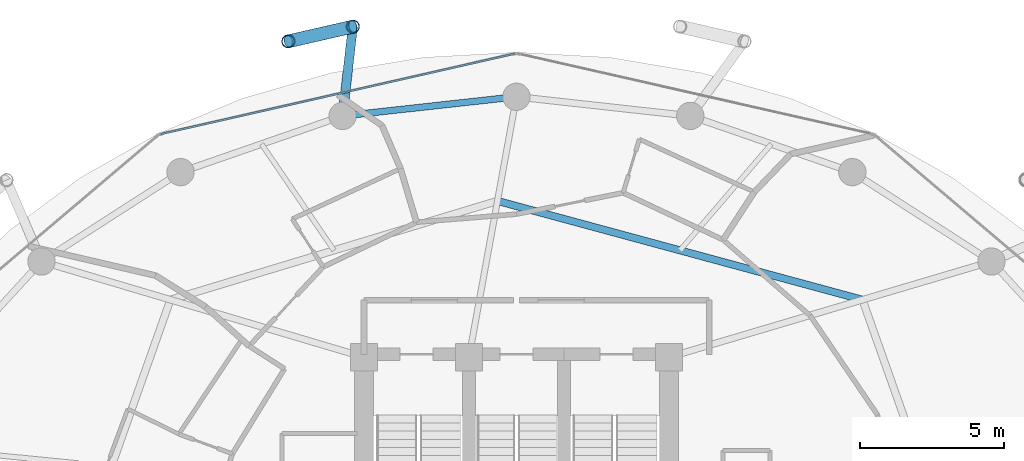
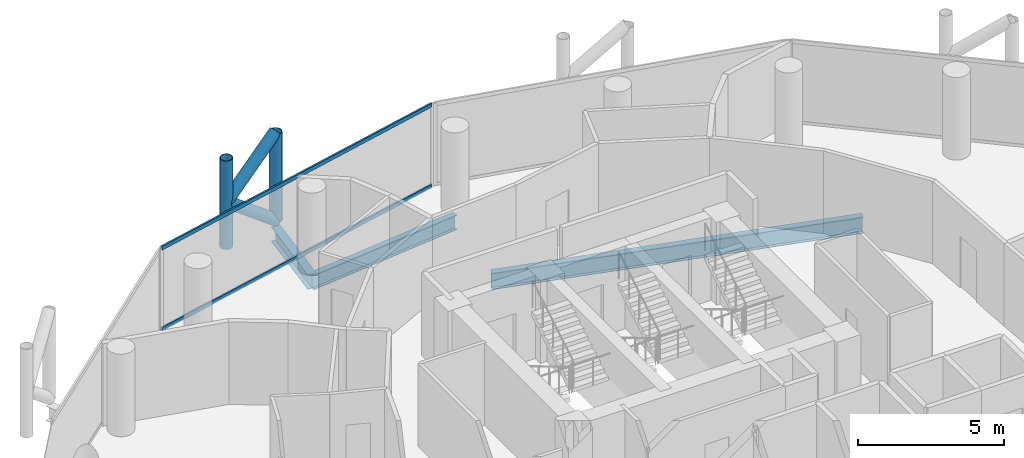
# One storey, part 16 of 26: 6 members, 3 beams, 1 element without a shape of its own.
"""IFC4 building model written with IfcOpenShell, lengths in metres."""

from ifc_helpers import new_model, si_unit, direction, frame, origin, origin_2d, place, context, subcontext, project, spatial, hollow_rectangle, hollow_circle, i_section, extrude, material, layer, layer_set, material_profile, profile_set, type_object, element, aggregate, save


model = new_model("IFC4")

# Units and contexts
model_context = context("Model", 3, precision=1e-05, world=origin(), true_north=direction((0.0, 1.0)))
body_context = subcontext(model_context, "Body", "Model", "MODEL_VIEW")
ifc_project = project(units=[si_unit("LENGTHUNIT", "METRE"), si_unit("AREAUNIT", "SQUARE_METRE"), si_unit("VOLUMEUNIT", "CUBIC_METRE"), si_unit("PLANEANGLEUNIT", "RADIAN"), si_unit("MASSUNIT", "GRAM", prefix="KILO")], contexts=[model_context])

# Site, building, storey
site_placement = place(None, origin())
site = spatial("IfcSite", under=ifc_project, at=site_placement, CompositionType="ELEMENT")
building_placement = place(site_placement, origin())
building = spatial("IfcBuilding", under=site, at=building_placement, Name="Nuhasar Tower", CompositionType="ELEMENT")
storey_placement = place(building_placement, frame((0.0, 0.0, 121.949951171875)))
storey = spatial("IfcBuildingStorey", under=building, at=storey_placement, Name="L28", CompositionType="ELEMENT", Elevation=121.949951171875)

# Beams
ifc_material_1 = material(Name="Steel S355", Category="steel")
ifc_material_profile_1 = material_profile(ifc_material_1, i_section(OverallWidth=0.25390625, OverallDepth=0.68408203125, WebThickness=0.012451171875, FlangeThickness=0.018798828125, at=origin_2d()), Name="W27X94")
ifc_profile_set_1 = profile_set([ifc_material_profile_1], Name="Steel S355")
beam_type_1 = type_object("IfcBeamType", Name="BM-INRING-W27X94", PredefinedType="BEAM", material=ifc_profile_set_1)
beam_1_placement = place(storey_placement, frame((51.027099609375, 39.2939453125, -0.592041015625), z_axis=(-0.96522695776, 0.261413312618, 0.0), x_axis=(-0.261413312618, -0.96522695776, 0.0)))
element("IfcBeam", 1, at=beam_1_placement, inside=storey, type_object=beam_type_1, Name="L28 Inner Header Beam 05", PredefinedType="BEAM", context=body_context, shape_type="SweptSolid", body=[
    extrude(i_section(OverallWidth=0.25390625, OverallDepth=0.68408203125, WebThickness=0.012451171875, FlangeThickness=0.018798828125, at=origin_2d()), origin(), (0.0, 0.0, 1.0), 13.14404296875),
])
ifc_material_profile_2 = material_profile(ifc_material_1, i_section(OverallWidth=0.22998046875, OverallDepth=0.616943359375, WebThickness=0.01318359375, FlangeThickness=0.022216796875, at=origin_2d()), Name="W24X94")
ifc_profile_set_2 = profile_set([ifc_material_profile_2], Name="Steel S355")
beam_type_2 = type_object("IfcBeamType", Name="BM-RING-W24X94", PredefinedType="SPANDREL", material=ifc_profile_set_2)
beam_2_placement = place(storey_placement, frame((39.0, 46.35009765625, -0.557861328125), z_axis=(-0.993981289157, -0.109549974015, 0.0), x_axis=(0.109549974015, -0.993981289157, 0.0)))
element("IfcBeam", 2, at=beam_2_placement, inside=storey, type_object=beam_type_2, Name="L28 Perimeter Ring Spandrel 07", PredefinedType="SPANDREL", context=body_context, shape_type="SweptSolid", body=[
    extrude(i_section(OverallWidth=0.22998046875, OverallDepth=0.616943359375, WebThickness=0.01318359375, FlangeThickness=0.022216796875, at=origin_2d()), origin(), (0.0, 0.0, 1.0), 6.07958984375),
])
ifc_material_profile_3 = material_profile(ifc_material_1, i_section(OverallWidth=0.323974609375, OverallDepth=0.611083984375, WebThickness=0.0126953125, FlangeThickness=0.01904296875, at=origin_2d()), Name="W24X104")
ifc_profile_set_3 = profile_set([ifc_material_profile_3], Name="Steel S355")
beam_type_3 = type_object("IfcBeamType", Name="BM-TIE-W24X104", PredefinedType="BEAM", material=ifc_profile_set_3)
beam_3_placement = place(storey_placement, frame((32.95703125, 45.68408203125, -0.554931640625), z_axis=(0.114167639647, 0.993461499031, 0.0), x_axis=(-0.993461499031, 0.114167639647, 0.0)))
element("IfcBeam", 3, at=beam_3_placement, inside=storey, type_object=beam_type_3, Name="L28 Exoskeleton Node Tie Beam 04", PredefinedType="BEAM", context=body_context, shape_type="SweptSolid", body=[
    extrude(i_section(OverallWidth=0.323974609375, OverallDepth=0.611083984375, WebThickness=0.0126953125, FlangeThickness=0.01904296875, at=origin_2d()), origin(), (0.0, 0.0, 1.0), 3.12646484375),
])

# Curtain wall, members
ifc_material_2 = material(Name="Aluminium 6063-T6", Category="aluminium")
ifc_layer = layer(ifc_material_2, 0.199951171875)
ifc_layer_set = layer_set([ifc_layer], Name="Aluminium 6063-T6")
curtain_wall_type = type_object("IfcCurtainWallType", Name="CW-Z2-HTL", PredefinedType="NOTDEFINED", material=ifc_layer_set)
curtain_wall_placement = place(storey_placement, origin())
curtain_wall = element("IfcCurtainWall", 4, at=curtain_wall_placement, inside=storey, type_object=curtain_wall_type, Name="L28 Unitised Curtain Wall 04", PredefinedType="NOTDEFINED")
ifc_material_profile_4 = material_profile(ifc_material_2, hollow_rectangle(XDim=0.070068359375, YDim=0.159912109375, WallThickness=0.00439453125, at=origin_2d()), Name="CWT-3")
ifc_profile_set_4 = profile_set([ifc_material_profile_4], Name="Aluminium 6063-T6")
member_type_1 = type_object("IfcMemberType", Name="CW-TRN-S3", PredefinedType="USERDEFINED", material=ifc_profile_set_4)
member_1_placement = place(storey_placement, frame((38.931640625, 47.844482421875, 0.03515625), z_axis=(-0.975183434528, -0.221398439519, 0.0), x_axis=(0.221398439519, -0.975183434528, 0.0)))
member_1 = element("IfcMember", 5, at=member_1_placement, type_object=member_type_1, Name="CW-Z2 transom 1.1", ObjectType="TRANSOM", PredefinedType="USERDEFINED", context=body_context, shape_type="SweptSolid", body=[
    extrude(hollow_rectangle(XDim=0.070068359375, YDim=0.159912109375, WallThickness=0.00439453125, at=origin_2d()), origin(), (0.0, 0.0, 1.0), 12.606201171875),
])
member_2_placement = place(storey_placement, frame((38.931640625, 47.844482421875, 3.4150390625), z_axis=(-0.975183434528, -0.221398439519, 0.0), x_axis=(0.221398439519, -0.975183434528, 0.0)))
member_2 = element("IfcMember", 6, at=member_2_placement, type_object=member_type_1, Name="CW-Z2 transom 1.2", ObjectType="TRANSOM", PredefinedType="USERDEFINED", context=body_context, shape_type="SweptSolid", body=[
    extrude(hollow_rectangle(XDim=0.070068359375, YDim=0.159912109375, WallThickness=0.00439453125, at=origin_2d()), origin(), (0.0, 0.0, 1.0), 12.606201171875),
])
aggregate(curtain_wall, [member_1, member_2])

# Members
ifc_material_3 = material(Name="Steel S460", Category="steel")
ifc_material_profile_5 = material_profile(ifc_material_3, hollow_circle(Radius=0.228515625, WallThickness=0.022216796875, at=origin_2d()), Name="HSS457X22.2")
ifc_profile_set_5 = profile_set([ifc_material_profile_5], Name="Steel S460")
member_type_2 = type_object("IfcMemberType", Name="EXO-BRONZE-457", PredefinedType="BRACE", material=ifc_profile_set_5)
for number, where, z_axis, x_axis, name in (
    (7, (33.31396484375, 48.7900390625, 0.0), (0.0, 0.0, 1.0), (1.0, 0.0, 0.0), "L28 Exoskeleton Chord Column EC-04A"),
    (8, (31.072021484375, 48.27587890625, 0.0), (0.0, 0.0, 1.0), (1.0, 0.0, 0.0), "L28 Exoskeleton Chord Column EC-04B"),
):
    element("IfcMember", number, at=place(storey_placement, frame(where, z_axis=z_axis, x_axis=x_axis)), inside=storey, type_object=member_type_2, Name=name, PredefinedType="BRACE", context=body_context, shape_type="SweptSolid", body=[
        extrude(hollow_circle(Radius=0.228515625, WallThickness=0.022216796875, at=origin_2d()), origin(), (0.0, 0.0, 1.0), 3.699951171875),
    ])
member_3_placement = place(storey_placement, frame((33.31396484375, 48.7900390625, 0.0), z_axis=(-0.759499549084, -0.174181209885, 0.626754609927), x_axis=(0.223533724104, -0.974696195842, 0.0)))
element("IfcMember", 9, at=member_3_placement, inside=storey, type_object=member_type_2, Name="L28 Bronze Diagrid Brace W1-04", PredefinedType="BRACE", context=body_context, shape_type="SweptSolid", body=[
    extrude(hollow_circle(Radius=0.228515625, WallThickness=0.022216796875, at=origin_2d()), origin(), (0.0, 0.0, 1.0), 2.951904296875),
])
member_4_placement = place(storey_placement, frame((31.072021484375, 48.27587890625, 1.85009765625), z_axis=(0.759538919781, 0.174190239035, 0.626704388019), x_axis=(-0.223533724104, 0.974696195842, 0.0)))
element("IfcMember", 10, at=member_4_placement, inside=storey, type_object=member_type_2, Name="L28 Bronze Diagrid Brace W2-04", PredefinedType="BRACE", context=body_context, shape_type="SweptSolid", body=[
    extrude(hollow_circle(Radius=0.228515625, WallThickness=0.022216796875, at=origin_2d()), origin(), (0.0, 0.0, 1.0), 2.95166015625),
])

save(model, "model.ifc")
